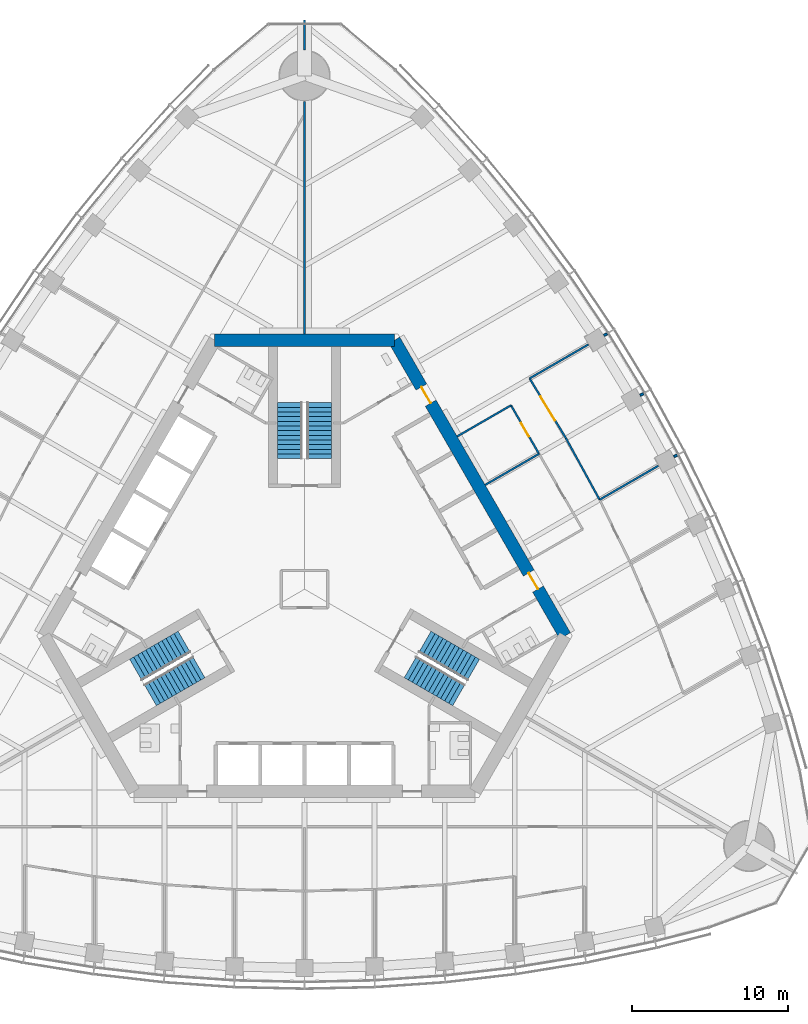
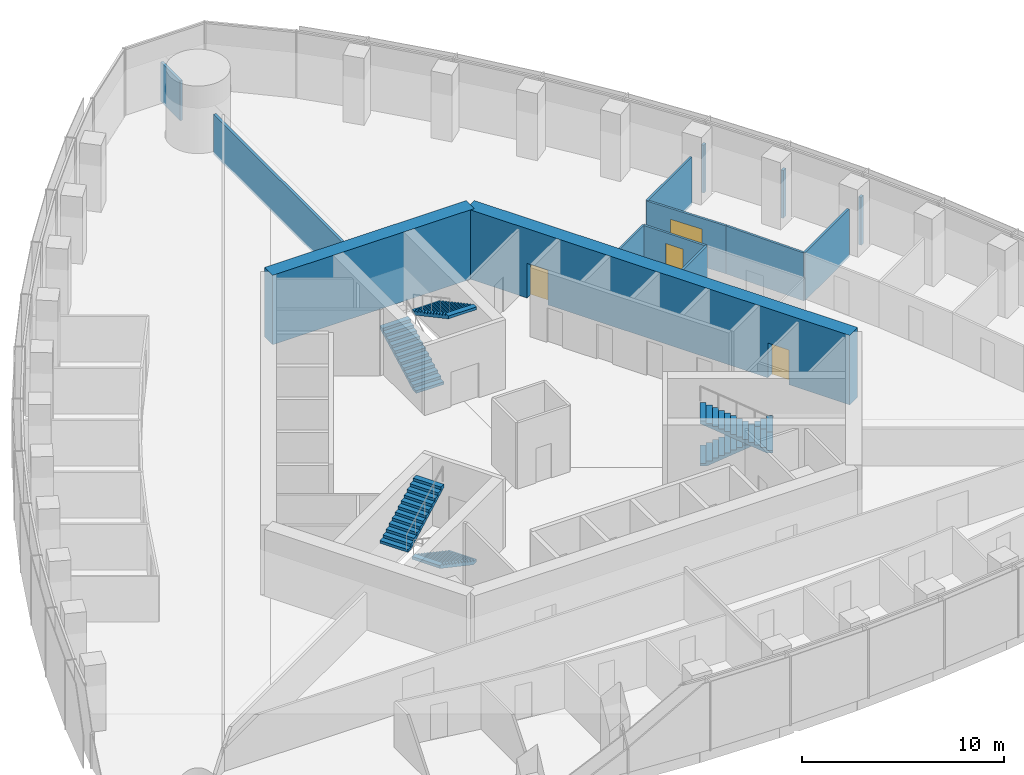
# One storey, part 15 of 20: 14 walls, 6 stair flights, 4 doors, 4 openings, 3 elements without a shape of their own.
"""IFC4 building model written with IfcOpenShell, lengths in metres."""

from ifc_helpers import new_model, si_unit, direction, frame, frame_2d, origin, place, context, subcontext, project, spatial, polyline, rectangle, outline, extrude, material, layer, layer_set, type_object, element, fill, aggregate, save


model = new_model("IFC4")

# Units and contexts
model_context = context("Model", 3, precision=1e-05, world=origin(), true_north=direction((0.0, 1.0)))
body_context = subcontext(model_context, "Body", "Model", "MODEL_VIEW")
ifc_project = project(units=[si_unit("LENGTHUNIT", "METRE"), si_unit("AREAUNIT", "SQUARE_METRE"), si_unit("VOLUMEUNIT", "CUBIC_METRE"), si_unit("PLANEANGLEUNIT", "RADIAN"), si_unit("MASSUNIT", "GRAM", prefix="KILO")], contexts=[model_context])

# Site, building, storey
site_placement = place(None, origin())
site = spatial("IfcSite", under=ifc_project, at=site_placement, CompositionType="ELEMENT")
building_placement = place(site_placement, origin())
building = spatial("IfcBuilding", under=site, at=building_placement, Name="Trefoil Bronze Tower", CompositionType="ELEMENT")
storey_placement = place(building_placement, frame((0.0, 0.0, 214.89990234375)))
storey = spatial("IfcBuildingStorey", under=building, at=storey_placement, Name="L49", CompositionType="ELEMENT", Elevation=214.89990234375)

# Wall, openings, doors
ifc_material_1 = material(Name="Concrete B80", Category="concrete")
ifc_layer_1 = layer(ifc_material_1, 0.800048828125)
ifc_layer_set_1 = layer_set([ifc_layer_1], Name="Core wall 800")
wall_type_1 = type_object("IfcWallType", Name="Core wall 800", PredefinedType="SHEAR", material=ifc_layer_set_1)
wall_1_placement = place(storey_placement, frame((16.7431640625, -3.0, 0.0), z_axis=(0.0, 0.0, 1.0), x_axis=(-0.500002442456, 0.866023993627, 0.0)))
wall_1 = element("IfcWall", 1, at=wall_1_placement, inside=storey, type_object=wall_type_1, Name="Core long wall 2 L49", PredefinedType="SHEAR", context=body_context, shape_type="SweptSolid", body=[
    extrude(rectangle(XDim=21.939453125, YDim=0.800048828125, at=frame_2d((10.9697265625, 0.0))), origin(), (0.0, 0.0, 1.0), 4.2001953125),
])
opening_1_placement = place(wall_1_placement, frame((17.269775390625, 0.0, 0.0)))
opening_1 = element("IfcOpeningElement", 2, at=opening_1_placement, cuts=wall_1, Name="Opening D2", PredefinedType="OPENING", context=body_context, shape_type="SweptSolid", body=[
    extrude(rectangle(XDim=1.199951171875, YDim=2.10009765625, at=frame_2d((0.60009765625, 1.050048828125))), frame((0.0, 0.409912109375, 0.0), z_axis=(0.0, -1.0, 0.0), x_axis=(1.0, 0.0, 0.0)), (0.0, 0.0, 1.0), 0.820068359375),
])
opening_2_placement = place(wall_1_placement, frame((3.4697265625, 0.0, 0.0)))
opening_2 = element("IfcOpeningElement", 3, at=opening_2_placement, cuts=wall_1, Name="Opening D2", PredefinedType="OPENING", context=body_context, shape_type="SweptSolid", body=[
    extrude(rectangle(XDim=1.199951171875, YDim=2.10009765625, at=frame_2d((0.60009765625, 1.050048828125))), frame((0.0, 0.409912109375, 0.0), z_axis=(0.0, -1.0, 0.0), x_axis=(1.0, 0.0, 0.0)), (0.0, 0.0, 1.0), 0.820068359375),
])
ifc_material_2 = material(Name="Steel door", Category="steel")
door_type_1 = type_object("IfcDoorType", Name="Lobby door 1200", OperationType="SINGLE_SWING_RIGHT", PredefinedType="DOOR", material=ifc_material_2)
door_1_placement = place(opening_1_placement, origin())
door_1 = element("IfcDoor", 4, at=door_1_placement, inside=storey, type_object=door_type_1, Name="Lobby door F2+ L49", OperationType="SINGLE_SWING_RIGHT", OverallHeight=2.10009765625, OverallWidth=1.199951171875, PredefinedType="DOOR", context=body_context, shape_type="SweptSolid", body=[
    extrude(rectangle(XDim=1.199951171875, YDim=2.10009765625, at=frame_2d((0.60009765625, 1.050048828125))), frame((0.0, 0.02490234375, 0.0), z_axis=(0.0, -1.0, 0.0), x_axis=(1.0, 0.0, 0.0)), (0.0, 0.0, 1.0), 0.050048828125),
])
fill(opening_1, door_1)
door_2_placement = place(opening_2_placement, origin())
door_2 = element("IfcDoor", 5, at=door_2_placement, inside=storey, type_object=door_type_1, Name="Lobby door F2- L49", OperationType="SINGLE_SWING_LEFT", OverallHeight=2.10009765625, OverallWidth=1.199951171875, PredefinedType="DOOR", context=body_context, shape_type="SweptSolid", body=[
    extrude(rectangle(XDim=1.199951171875, YDim=2.10009765625, at=frame_2d((0.60009765625, 1.050048828125))), frame((0.0, 0.02490234375, 0.0), z_axis=(0.0, -1.0, 0.0), x_axis=(1.0, 0.0, 0.0)), (0.0, 0.0, 1.0), 0.050048828125),
])
fill(opening_2, door_2)

# Wall
wall_2_placement = place(storey_placement, frame((5.7734375, 16.0, 0.0), z_axis=(0.0, 0.0, 1.0), x_axis=(-1.0, 0.0, 0.0)))
element("IfcWall", 6, at=wall_2_placement, inside=storey, type_object=wall_type_1, Name="Core short wall 2 L49", PredefinedType="SHEAR", context=body_context, shape_type="SweptSolid", body=[
    extrude(rectangle(XDim=11.546875, YDim=0.800048828125, at=frame_2d((5.7734375, 0.0))), origin(), (0.0, 0.0, 1.0), 4.2001953125),
])

# Wall, opening, door
ifc_material_3 = material(Name="Glazed partition", Category="glass")
ifc_layer_2 = layer(ifc_material_3, 0.1201171875)
ifc_layer_set_2 = layer_set([ifc_layer_2], Name="Glazed partition 120")
wall_type_2 = type_object("IfcWallType", Name="Glazed partition 120", PredefinedType="PARTITIONING", material=ifc_layer_set_2)
wall_3_placement = place(storey_placement, frame((15.06884765625, 8.699951171875, 0.0), z_axis=(0.0, 0.0, 1.0), x_axis=(-0.500012057535, 0.866018442252, 0.0)))
wall_3 = element("IfcWall", 7, at=wall_3_placement, inside=storey, type_object=wall_type_2, Name="Partition F2 L49", PredefinedType="PARTITIONING", context=body_context, shape_type="SweptSolid", body=[
    extrude(rectangle(XDim=3.60009765625, YDim=0.1201171875, at=frame_2d((1.800048828125, 0.0))), origin(), (0.0, 0.0, 1.0), 2.900146484375),
])
opening_3_placement = place(wall_3_placement, frame((1.300048828125, 0.0, 0.14990234375)))
opening_3 = element("IfcOpeningElement", 8, at=opening_3_placement, cuts=wall_3, Name="Opening D9", PredefinedType="OPENING", context=body_context, shape_type="SweptSolid", body=[
    extrude(rectangle(XDim=1.0, YDim=2.10009765625, at=frame_2d((0.5, 1.050048828125))), frame((0.0, 0.070068359375, 0.0), z_axis=(0.0, -1.0, 0.0), x_axis=(1.0, 0.0, 0.0)), (0.0, 0.0, 1.0), 0.14013671875),
])
ifc_material_4 = material(Name="Glazed timber door", Category="wood")
door_type_2 = type_object("IfcDoorType", Name="Meeting room door 1000", OperationType="SINGLE_SWING_LEFT", PredefinedType="DOOR", material=ifc_material_4)
door_3_placement = place(opening_3_placement, origin())
door_3 = element("IfcDoor", 9, at=door_3_placement, inside=storey, type_object=door_type_2, Name="Meeting room door F2 L49", OperationType="SINGLE_SWING_LEFT", OverallHeight=2.10009765625, OverallWidth=1.0, PredefinedType="DOOR", context=body_context, shape_type="SweptSolid", body=[
    extrude(rectangle(XDim=1.0, YDim=2.10009765625, at=frame_2d((0.5, 1.050048828125))), frame((0.0, 0.02490234375, 0.0), z_axis=(0.0, -1.0, 0.0), x_axis=(1.0, 0.0, 0.0)), (0.0, 0.0, 1.0), 0.050048828125),
])
fill(opening_3, door_3)

# Walls
for number, where, z_axis, x_axis, name in (
    (10, (9.8046875, 9.817626953125, 0.0), (0.0, 0.0, 1.0), (0.866026010844, 0.49999894854, 0.0), "Partition F2 L49"),
    (11, (11.604736328125, 6.699951171875, 0.0), (0.0, 0.0, 1.0), (0.866026010844, 0.49999894854, 0.0), "Partition F2 L49"),
):
    element("IfcWall", number, at=place(storey_placement, frame(where, z_axis=z_axis, x_axis=x_axis)), inside=storey, type_object=wall_type_2, Name=name, PredefinedType="PARTITIONING", context=body_context, shape_type="SweptSolid", body=[
        extrude(rectangle(XDim=4.0, YDim=0.1201171875, at=frame_2d((2.0, 0.0))), origin(), (0.0, 0.0, 1.0), 2.900146484375),
    ])

# Wall, opening, door
wall_4_placement = place(storey_placement, frame((16.801513671875, 9.700439453125, 0.0), z_axis=(0.0, 0.0, 1.0), x_axis=(-0.519790350351, 0.85429385558, 0.0)))
wall_4 = element("IfcWall", 12, at=wall_4_placement, inside=storey, type_object=wall_type_2, Name="Partition F2 L49", PredefinedType="PARTITIONING", context=body_context, shape_type="SweptSolid", body=[
    extrude(rectangle(XDim=4.5009765625, YDim=0.1201171875, at=frame_2d((2.25048828125, 0.0))), origin(), (0.0, 0.0, 1.0), 2.900146484375),
])
opening_4_placement = place(wall_4_placement, frame((1.35009765625, 0.0, 0.14990234375)))
opening_4 = element("IfcOpeningElement", 13, at=opening_4_placement, cuts=wall_4, Name="Opening D10", PredefinedType="OPENING", context=body_context, shape_type="SweptSolid", body=[
    extrude(rectangle(XDim=1.800048828125, YDim=2.10009765625, at=frame_2d((0.89990234375, 1.050048828125))), frame((0.0, 0.070068359375, 0.0), z_axis=(0.0, -1.0, 0.0), x_axis=(1.0, 0.0, 0.0)), (0.0, 0.0, 1.0), 0.14013671875),
])
ifc_material_5 = material(Name="Timber door", Category="wood")
door_type_3 = type_object("IfcDoorType", Name="Double door 1800", OperationType="DOUBLE_DOOR_SINGLE_SWING", PredefinedType="DOOR", material=ifc_material_5)
door_4_placement = place(opening_4_placement, frame((1.800048828125, 0.0, 0.0), z_axis=(0.0, 0.0, 1.0), x_axis=(-1.0, 0.0, 0.0)))
door_4 = element("IfcDoor", 14, at=door_4_placement, inside=storey, type_object=door_type_3, Name="Kitchen and breakout door F2 L49", OperationType="DOUBLE_DOOR_SINGLE_SWING", OverallHeight=2.10009765625, OverallWidth=1.800048828125, PredefinedType="DOOR", context=body_context, shape_type="SweptSolid", body=[
    extrude(rectangle(XDim=1.800048828125, YDim=2.10009765625, at=frame_2d((0.89990234375, 1.050048828125))), frame((0.0, 0.02490234375, 0.0), z_axis=(0.0, -1.0, 0.0), x_axis=(1.0, 0.0, 0.0)), (0.0, 0.0, 1.0), 0.050048828125),
])
fill(opening_4, door_4)

# Walls
wall_5_placement = place(storey_placement, frame((18.9619140625, 5.75146484375, 0.0), z_axis=(0.0, 0.0, 1.0), x_axis=(-0.479949984371, 0.877295852322, 0.0)))
element("IfcWall", 15, at=wall_5_placement, inside=storey, type_object=wall_type_2, Name="Partition F2 L49", PredefinedType="PARTITIONING", context=body_context, shape_type="SweptSolid", body=[
    extrude(rectangle(XDim=4.501220703125, YDim=0.1201171875, at=frame_2d((2.25048828125, 0.0))), origin(), (0.0, 0.0, 1.0), 2.900146484375),
])
for number, where, z_axis, x_axis, name in (
    (16, (14.4619140625, 13.545654296875, 0.0), (0.0, 0.0, 1.0), (0.866016202281, 0.500015937133, 0.0), "Partition F2 L49"),
    (17, (18.9619140625, 5.75146484375, 0.0), (0.0, 0.0, 1.0), (0.866016202281, 0.500015937133, 0.0), "Partition F2 L49"),
):
    element("IfcWall", number, at=place(storey_placement, frame(where, z_axis=z_axis, x_axis=x_axis)), inside=storey, type_object=wall_type_2, Name=name, PredefinedType="PARTITIONING", context=body_context, shape_type="SweptSolid", body=[
        extrude(rectangle(XDim=4.368408203125, YDim=0.1201171875, at=frame_2d((2.18408203125, 0.0))), origin(), (0.0, 0.0, 1.0), 2.900146484375),
    ])
ifc_material_6 = material(Name="Gypsum board on steel studs", Category="steel")
ifc_layer_3 = layer(ifc_material_6, 0.14990234375)
ifc_layer_set_3 = layer_set([ifc_layer_3], Name="Partition 150")
wall_type_3 = type_object("IfcWallType", Name="Partition 150", PredefinedType="PARTITIONING", material=ifc_layer_set_3)
wall_6_placement = place(storey_placement, frame((19.249267578125, 16.3095703125, 0.0), z_axis=(0.0, 0.0, 1.0), x_axis=(0.865810949009, 0.500371262739, 0.0)))
element("IfcWall", 18, at=wall_6_placement, inside=storey, type_object=wall_type_3, Name="Partition F2 L49", PredefinedType="PARTITIONING", context=body_context, shape_type="SweptSolid", body=[
    extrude(rectangle(XDim=0.217041015625, YDim=0.14990234375, at=frame_2d((0.1083984375, 0.0))), origin(), (0.0, 0.0, 1.0), 2.900146484375),
])
wall_7_placement = place(storey_placement, frame((21.568115234375, 12.452392578125, 0.0), z_axis=(0.0, 0.0, 1.0), x_axis=(0.866303639744, 0.499517771221, 0.0)))
element("IfcWall", 19, at=wall_7_placement, inside=storey, type_object=wall_type_3, Name="Partition F2 L49", PredefinedType="PARTITIONING", context=body_context, shape_type="SweptSolid", body=[
    extrude(rectangle(XDim=0.240966796875, YDim=0.14990234375, at=frame_2d((0.12060546875, 0.0))), origin(), (0.0, 0.0, 1.0), 2.900146484375),
])
wall_8_placement = place(storey_placement, frame((23.749267578125, 8.515380859375, 0.0), z_axis=(0.0, 0.0, 1.0), x_axis=(0.865810949009, 0.500371262739, 0.0)))
element("IfcWall", 20, at=wall_8_placement, inside=storey, type_object=wall_type_3, Name="Partition F2 L49", PredefinedType="PARTITIONING", context=body_context, shape_type="SweptSolid", body=[
    extrude(rectangle(XDim=0.217041015625, YDim=0.14990234375, at=frame_2d((0.1083984375, 0.0))), origin(), (0.0, 0.0, 1.0), 2.900146484375),
])
ifc_material_7 = material(Name="Gypsum board on steel studs", Category="steel")
ifc_layer_4 = layer(ifc_material_7, 0.14990234375)
ifc_layer_set_4 = layer_set([ifc_layer_4], Name="Party wall 150")
wall_type_4 = type_object("IfcWallType", Name="Party wall 150", PredefinedType="PARTITIONING", material=ifc_layer_set_4)
wall_9_placement = place(storey_placement, frame((0.0, 16.39990234375, 0.0), z_axis=(0.0, 0.0, 1.0), x_axis=(0.0, 1.0, 0.0)))
element("IfcWall", 21, at=wall_9_placement, inside=storey, type_object=wall_type_4, Name="Party wall K2 L49", PredefinedType="PARTITIONING", context=body_context, shape_type="SweptSolid", body=[
    extrude(rectangle(XDim=14.9501953125, YDim=0.14990234375, at=frame_2d((7.47509765625, 0.0))), origin(), (0.0, 0.0, 1.0), 2.400146484375),
])
wall_10_placement = place(storey_placement, frame((0.0, 34.64990234375, 0.0), z_axis=(0.0, 0.0, 1.0), x_axis=(0.0, 1.0, 0.0)))
element("IfcWall", 22, at=wall_10_placement, inside=storey, type_object=wall_type_4, Name="Party wall K2 L49", PredefinedType="PARTITIONING", context=body_context, shape_type="SweptSolid", body=[
    extrude(rectangle(XDim=1.934814453125, YDim=0.14990234375, at=frame_2d((0.96728515625, 0.0))), origin(), (0.0, 0.0, 1.0), 2.400146484375),
])

# Stair, stair flights
ifc_material_8 = material(Name="Precast concrete B80", Category="concrete")
stair_type = type_object("IfcStairType", Name="Exit stair 26 risers", PredefinedType="HALF_TURN_STAIR", material=ifc_material_8)
stair_1_placement = place(storey_placement, origin())
stair_1 = element("IfcStair", 23, at=stair_1_placement, inside=storey, type_object=stair_type, Name="Stair ST1 L49", PredefinedType="HALF_TURN_STAIR")
ifc_material_9 = material(Name="Precast concrete B80", Category="concrete")
stair_flight_type = type_object("IfcStairFlightType", Name="Stair flight 1600", PredefinedType="STRAIGHT", material=ifc_material_9)
stair_flight_1_placement = place(storey_placement, frame((7.728515625, -3.39404296875, 0.0), z_axis=(0.0, 0.0, 1.0), x_axis=(0.866025403784, -0.5, 0.0)))
stair_flight_1 = element("IfcStairFlight", 24, at=stair_flight_1_placement, type_object=stair_flight_type, Name="ST1 flight 1", NumberOfRisers=13, NumberOfTreads=12, PredefinedType="STRAIGHT", RiserHeight=0.161538462, TreadLength=0.3, context=body_context, shape_type="SweptSolid", body=[
    extrude(outline(polyline([(0.0, 0.0), (0.0, 0.16162109375), (0.300048828125, 0.16162109375), (0.300048828125, 0.322998046875), (0.60009765625, 0.322998046875), (0.60009765625, 0.484619140625), (0.89990234375, 0.484619140625), (0.89990234375, 0.646240234375), (1.199951171875, 0.646240234375), (1.199951171875, 0.8076171875), (1.5, 0.8076171875), (1.5, 0.96923828125), (1.800048828125, 0.96923828125), (1.800048828125, 1.130859375), (2.10009765625, 1.130859375), (2.10009765625, 1.292236328125), (2.39990234375, 1.292236328125), (2.39990234375, 1.453857421875), (2.699951171875, 1.453857421875), (2.699951171875, 1.615478515625), (3.0, 1.615478515625), (3.0, 1.77685546875), (3.300048828125, 1.77685546875), (3.300048828125, 1.9384765625), (3.60009765625, 1.9384765625), (3.60009765625, 2.10009765625), (3.60009765625, 1.768310546875), (0.316162109375, 0.0), (0.0, 0.0)])), frame((0.0, 0.800048828125, 0.0), z_axis=(0.0, -1.0, 0.0), x_axis=(1.0, 0.0, 0.0)), (0.0, 0.0, 1.0), 1.60009765625),
])
stair_flight_2_placement = place(storey_placement, frame((9.921142578125, -6.796142578125, 2.10009765625), z_axis=(0.0, 0.0, 1.0), x_axis=(-0.866025403784, 0.5, 0.0)))
stair_flight_2 = element("IfcStairFlight", 25, at=stair_flight_2_placement, type_object=stair_flight_type, Name="ST1 flight 2", NumberOfRisers=13, NumberOfTreads=12, PredefinedType="STRAIGHT", RiserHeight=0.161538462, TreadLength=0.3, context=body_context, shape_type="SweptSolid", body=[
    extrude(outline(polyline([(0.0, 0.0), (0.0, 0.16162109375), (0.300048828125, 0.16162109375), (0.300048828125, 0.322998046875), (0.60009765625, 0.322998046875), (0.60009765625, 0.484619140625), (0.89990234375, 0.484619140625), (0.89990234375, 0.646240234375), (1.199951171875, 0.646240234375), (1.199951171875, 0.8076171875), (1.5, 0.8076171875), (1.5, 0.96923828125), (1.800048828125, 0.96923828125), (1.800048828125, 1.130859375), (2.10009765625, 1.130859375), (2.10009765625, 1.292236328125), (2.39990234375, 1.292236328125), (2.39990234375, 1.453857421875), (2.699951171875, 1.453857421875), (2.699951171875, 1.615478515625), (3.0, 1.615478515625), (3.0, 1.77685546875), (3.300048828125, 1.77685546875), (3.300048828125, 1.9384765625), (3.60009765625, 1.9384765625), (3.60009765625, 2.10009765625), (3.60009765625, 1.768310546875), (0.316162109375, 0.0), (0.0, 0.0)])), frame((0.0, 0.800048828125, 0.0), z_axis=(0.0, -1.0, 0.0), x_axis=(1.0, 0.0, 0.0)), (0.0, 0.0, 1.0), 1.60009765625),
])
aggregate(stair_1, [stair_flight_1, stair_flight_2])

stair_2_placement = place(storey_placement, origin())
stair_2 = element("IfcStair", 26, at=stair_2_placement, inside=storey, type_object=stair_type, Name="Stair ST2 L49", PredefinedType="HALF_TURN_STAIR")
stair_flight_3_placement = place(storey_placement, frame((-0.925048828125, 8.389892578125, 0.0), z_axis=(0.0, 0.0, 1.0), x_axis=(0.0, 1.0, 0.0)))
stair_flight_3 = element("IfcStairFlight", 27, at=stair_flight_3_placement, type_object=stair_flight_type, Name="ST2 flight 1", NumberOfRisers=13, NumberOfTreads=12, PredefinedType="STRAIGHT", RiserHeight=0.161538462, TreadLength=0.3, context=body_context, shape_type="SweptSolid", body=[
    extrude(outline(polyline([(0.0, 0.0), (0.0, 0.16162109375), (0.300048828125, 0.16162109375), (0.300048828125, 0.322998046875), (0.60009765625, 0.322998046875), (0.60009765625, 0.484619140625), (0.89990234375, 0.484619140625), (0.89990234375, 0.646240234375), (1.199951171875, 0.646240234375), (1.199951171875, 0.8076171875), (1.5, 0.8076171875), (1.5, 0.96923828125), (1.800048828125, 0.96923828125), (1.800048828125, 1.130859375), (2.10009765625, 1.130859375), (2.10009765625, 1.292236328125), (2.39990234375, 1.292236328125), (2.39990234375, 1.453857421875), (2.699951171875, 1.453857421875), (2.699951171875, 1.615478515625), (3.0, 1.615478515625), (3.0, 1.77685546875), (3.300048828125, 1.77685546875), (3.300048828125, 1.9384765625), (3.60009765625, 1.9384765625), (3.60009765625, 2.10009765625), (3.60009765625, 1.768310546875), (0.316162109375, 0.0), (0.0, 0.0)])), frame((0.0, 0.800048828125, 0.0), z_axis=(0.0, -1.0, 0.0), x_axis=(1.0, 0.0, 0.0)), (0.0, 0.0, 1.0), 1.60009765625),
])
stair_flight_4_placement = place(storey_placement, frame((0.925048828125, 11.989990234375, 2.10009765625), z_axis=(0.0, 0.0, 1.0), x_axis=(0.0, -1.0, 0.0)))
stair_flight_4 = element("IfcStairFlight", 28, at=stair_flight_4_placement, type_object=stair_flight_type, Name="ST2 flight 2", NumberOfRisers=13, NumberOfTreads=12, PredefinedType="STRAIGHT", RiserHeight=0.161538462, TreadLength=0.3, context=body_context, shape_type="SweptSolid", body=[
    extrude(outline(polyline([(0.0, 0.0), (0.0, 0.16162109375), (0.300048828125, 0.16162109375), (0.300048828125, 0.322998046875), (0.60009765625, 0.322998046875), (0.60009765625, 0.484619140625), (0.89990234375, 0.484619140625), (0.89990234375, 0.646240234375), (1.199951171875, 0.646240234375), (1.199951171875, 0.8076171875), (1.5, 0.8076171875), (1.5, 0.96923828125), (1.800048828125, 0.96923828125), (1.800048828125, 1.130859375), (2.10009765625, 1.130859375), (2.10009765625, 1.292236328125), (2.39990234375, 1.292236328125), (2.39990234375, 1.453857421875), (2.699951171875, 1.453857421875), (2.699951171875, 1.615478515625), (3.0, 1.615478515625), (3.0, 1.77685546875), (3.300048828125, 1.77685546875), (3.300048828125, 1.9384765625), (3.60009765625, 1.9384765625), (3.60009765625, 2.10009765625), (3.60009765625, 1.768310546875), (0.316162109375, 0.0), (0.0, 0.0)])), frame((0.0, 0.800048828125, 0.0), z_axis=(0.0, -1.0, 0.0), x_axis=(1.0, 0.0, 0.0)), (0.0, 0.0, 1.0), 1.60009765625),
])
aggregate(stair_2, [stair_flight_3, stair_flight_4])

stair_3_placement = place(storey_placement, origin())
stair_3 = element("IfcStair", 29, at=stair_3_placement, inside=storey, type_object=stair_type, Name="Stair ST3 L49", PredefinedType="HALF_TURN_STAIR")
stair_flight_5_placement = place(storey_placement, frame((-6.803466796875, -4.99609375, 0.0), z_axis=(0.0, 0.0, 1.0), x_axis=(-0.866025403784, -0.5, 0.0)))
stair_flight_5 = element("IfcStairFlight", 30, at=stair_flight_5_placement, type_object=stair_flight_type, Name="ST3 flight 1", NumberOfRisers=13, NumberOfTreads=12, PredefinedType="STRAIGHT", RiserHeight=0.161538462, TreadLength=0.3, context=body_context, shape_type="SweptSolid", body=[
    extrude(outline(polyline([(0.0, 0.0), (0.0, 0.16162109375), (0.300048828125, 0.16162109375), (0.300048828125, 0.322998046875), (0.60009765625, 0.322998046875), (0.60009765625, 0.484619140625), (0.89990234375, 0.484619140625), (0.89990234375, 0.646240234375), (1.199951171875, 0.646240234375), (1.199951171875, 0.8076171875), (1.5, 0.8076171875), (1.5, 0.96923828125), (1.800048828125, 0.96923828125), (1.800048828125, 1.130859375), (2.10009765625, 1.130859375), (2.10009765625, 1.292236328125), (2.39990234375, 1.292236328125), (2.39990234375, 1.453857421875), (2.699951171875, 1.453857421875), (2.699951171875, 1.615478515625), (3.0, 1.615478515625), (3.0, 1.77685546875), (3.300048828125, 1.77685546875), (3.300048828125, 1.9384765625), (3.60009765625, 1.9384765625), (3.60009765625, 2.10009765625), (3.60009765625, 1.768310546875), (0.316162109375, 0.0), (0.0, 0.0)])), frame((0.0, 0.800048828125, 0.0), z_axis=(0.0, -1.0, 0.0), x_axis=(1.0, 0.0, 0.0)), (0.0, 0.0, 1.0), 1.60009765625),
])
stair_flight_6_placement = place(storey_placement, frame((-10.84619140625, -5.19384765625, 2.10009765625), z_axis=(0.0, 0.0, 1.0), x_axis=(0.866025403784, 0.5, 0.0)))
stair_flight_6 = element("IfcStairFlight", 31, at=stair_flight_6_placement, type_object=stair_flight_type, Name="ST3 flight 2", NumberOfRisers=13, NumberOfTreads=12, PredefinedType="STRAIGHT", RiserHeight=0.161538462, TreadLength=0.3, context=body_context, shape_type="SweptSolid", body=[
    extrude(outline(polyline([(0.0, 0.0), (0.0, 0.16162109375), (0.300048828125, 0.16162109375), (0.300048828125, 0.322998046875), (0.60009765625, 0.322998046875), (0.60009765625, 0.484619140625), (0.89990234375, 0.484619140625), (0.89990234375, 0.646240234375), (1.199951171875, 0.646240234375), (1.199951171875, 0.8076171875), (1.5, 0.8076171875), (1.5, 0.96923828125), (1.800048828125, 0.96923828125), (1.800048828125, 1.130859375), (2.10009765625, 1.130859375), (2.10009765625, 1.292236328125), (2.39990234375, 1.292236328125), (2.39990234375, 1.453857421875), (2.699951171875, 1.453857421875), (2.699951171875, 1.615478515625), (3.0, 1.615478515625), (3.0, 1.77685546875), (3.300048828125, 1.77685546875), (3.300048828125, 1.9384765625), (3.60009765625, 1.9384765625), (3.60009765625, 2.10009765625), (3.60009765625, 1.768310546875), (0.316162109375, 0.0), (0.0, 0.0)])), frame((0.0, 0.800048828125, 0.0), z_axis=(0.0, -1.0, 0.0), x_axis=(1.0, 0.0, 0.0)), (0.0, 0.0, 1.0), 1.60009765625),
])
aggregate(stair_3, [stair_flight_5, stair_flight_6])

save(model, "model.ifc")
